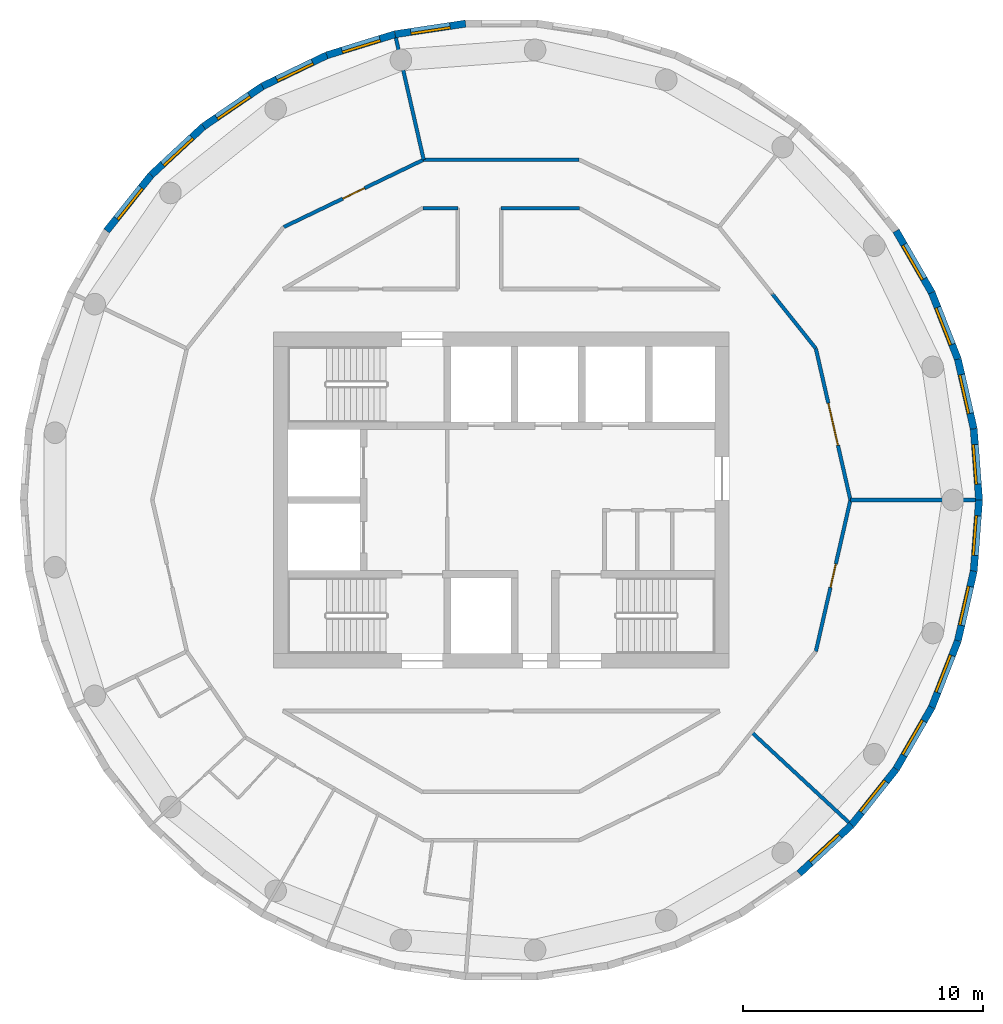
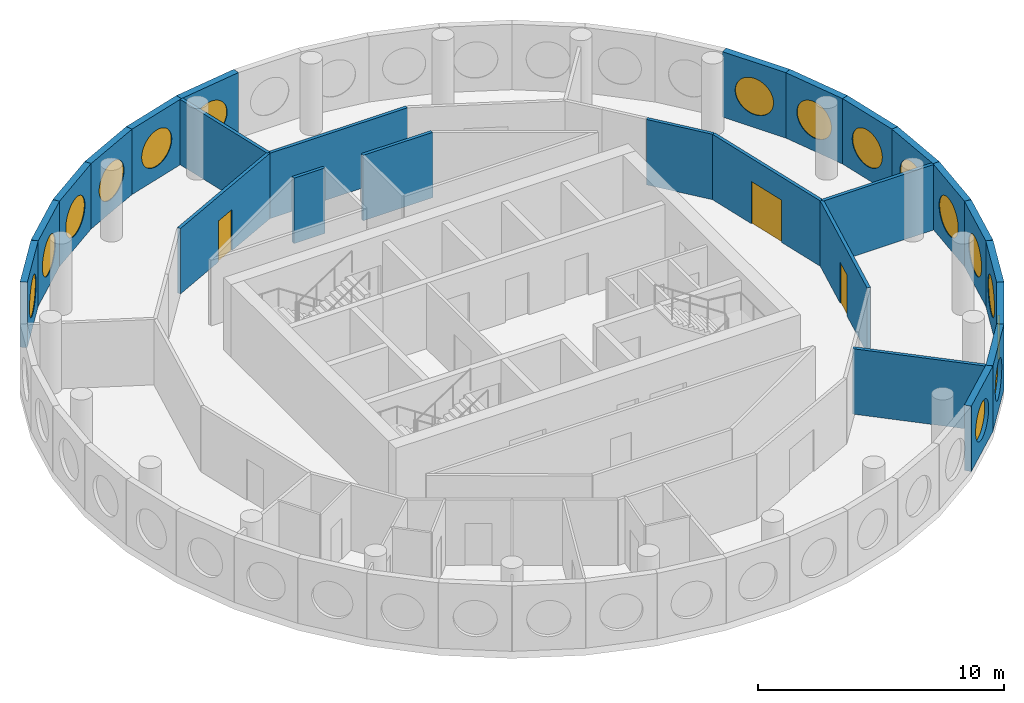
# One storey, part 9 of 12: 26 walls, 16 windows, 3 doors, 19 openings.
"""IFC4 building model written with IfcOpenShell, lengths in metres."""

from ifc_helpers import new_model, si_unit, direction, frame, frame_2d, origin, origin_2d, place, context, subcontext, project, spatial, rectangle, circle, extrude, material, layer, layer_set, type_object, element, fill, save


model = new_model("IFC4")

# Units and contexts
model_context = context("Model", 3, precision=1e-05, world=origin(), true_north=direction((0.0, 1.0)))
body_context = subcontext(model_context, "Body", "Model", "MODEL_VIEW")
ifc_project = project(units=[si_unit("LENGTHUNIT", "METRE"), si_unit("AREAUNIT", "SQUARE_METRE"), si_unit("VOLUMEUNIT", "CUBIC_METRE"), si_unit("PLANEANGLEUNIT", "RADIAN"), si_unit("MASSUNIT", "GRAM", prefix="KILO")], contexts=[model_context])

# Site, building, storey
site_placement = place(None, origin())
site = spatial("IfcSite", under=ifc_project, at=site_placement, CompositionType="ELEMENT")
building_placement = place(site_placement, origin())
building = spatial("IfcBuilding", under=site, at=building_placement, Name="Tracery Tower", CompositionType="ELEMENT")
storey_placement = place(building_placement, frame((0.0, 0.0, 327.0)))
storey = spatial("IfcBuildingStorey", under=building, at=storey_placement, Name="L85", CompositionType="ELEMENT", Elevation=327.0)

# Wall, opening, window
ifc_material_1 = material(Name="Precast concrete C50/60", Category="concrete")
ifc_layer_1 = layer(ifc_material_1, 0.300048828125)
ifc_layer_set_1 = layer_set([ifc_layer_1], Name="Facade panel 3000 x 3250")
wall_type_1 = type_object("IfcWallType", Name="Facade panel 3000 x 3250", PredefinedType="SOLIDWALL", material=ifc_layer_set_1)
wall_1_placement = place(storey_placement, frame((19.921875, 0.0, 0.0), z_axis=(0.0, 0.0, 1.0), x_axis=(-0.074777718064, 0.997200227076, 0.0)))
wall_1 = element("IfcWall", 1, at=wall_1_placement, inside=storey, type_object=wall_type_1, Name="Facade panel 1 at L85", PredefinedType="SOLIDWALL", context=body_context, shape_type="SweptSolid", body=[
    extrude(rectangle(XDim=2.9775390625, YDim=0.300048828125, at=frame_2d((1.48876953125, 0.0))), origin(), (0.0, 0.0, 1.0), 3.25),
])
opening_1_placement = place(wall_1_placement, frame((1.48876953125, 0.0, 1.5498046875)))
opening_1 = element("IfcOpeningElement", 2, at=opening_1_placement, cuts=wall_1, Name="Opening WN1", PredefinedType="OPENING", context=body_context, shape_type="SweptSolid", body=[
    extrude(circle(Radius=0.9000244140625, at=origin_2d()), frame((0.0, 0.159912109375, 0.0), z_axis=(0.0, -1.0, 0.0), x_axis=(1.0, 0.0, 0.0)), (0.0, 0.0, 1.0), 0.320068359375),
])
ifc_material_2 = material(Name="Aluminium frame with tinted double glazing", Category="aluminium")
window_type = type_object("IfcWindowType", Name="Round window 1800", PartitioningType="SINGLE_PANEL", PredefinedType="WINDOW", material=ifc_material_2)
window_1_placement = place(opening_1_placement, origin())
window_1 = element("IfcWindow", 3, at=window_1_placement, inside=storey, type_object=window_type, Name="Round window 1 at L85", OverallHeight=1.800048828125, OverallWidth=1.800048828125, PartitioningType="SINGLE_PANEL", PredefinedType="WINDOW", context=body_context, shape_type="SweptSolid", body=[
    extrude(circle(Radius=0.9000244140625, at=origin_2d()), frame((0.0, 0.1201171875, 0.0), z_axis=(0.0, -1.0, 0.0), x_axis=(1.0, 0.0, 0.0)), (0.0, 0.0, 1.0), 0.10009765625),
])
fill(opening_1, window_1)

wall_2_placement = place(storey_placement, frame((19.69921875, 2.96923828125, 0.0), z_axis=(0.0, 0.0, 1.0), x_axis=(-0.222535358937, 0.974924619662, 0.0)))
wall_2 = element("IfcWall", 4, at=wall_2_placement, inside=storey, type_object=wall_type_1, Name="Facade panel 2 at L85", PredefinedType="SOLIDWALL", context=body_context, shape_type="SweptSolid", body=[
    extrude(rectangle(XDim=2.9775390625, YDim=0.300048828125, at=frame_2d((1.48876953125, 0.0))), origin(), (0.0, 0.0, 1.0), 3.25),
])
opening_2_placement = place(wall_2_placement, frame((1.48876953125, 0.0, 1.5498046875)))
opening_2 = element("IfcOpeningElement", 5, at=opening_2_placement, cuts=wall_2, Name="Opening WN1", PredefinedType="OPENING", context=body_context, shape_type="SweptSolid", body=[
    extrude(circle(Radius=0.9000244140625, at=origin_2d()), frame((0.0, 0.159912109375, 0.0), z_axis=(0.0, -1.0, 0.0), x_axis=(1.0, 0.0, 0.0)), (0.0, 0.0, 1.0), 0.320068359375),
])
window_2_placement = place(opening_2_placement, origin())
window_2 = element("IfcWindow", 6, at=window_2_placement, inside=storey, type_object=window_type, Name="Round window 2 at L85", OverallHeight=1.800048828125, OverallWidth=1.800048828125, PartitioningType="SINGLE_PANEL", PredefinedType="WINDOW", context=body_context, shape_type="SweptSolid", body=[
    extrude(circle(Radius=0.9000244140625, at=origin_2d()), frame((0.0, 0.1201171875, 0.0), z_axis=(0.0, -1.0, 0.0), x_axis=(1.0, 0.0, 0.0)), (0.0, 0.0, 1.0), 0.10009765625),
])
fill(opening_2, window_2)

wall_3_placement = place(storey_placement, frame((19.03662109375, 5.8720703125, 0.0), z_axis=(0.0, 0.0, 1.0), x_axis=(-0.365289571566, 0.930893940739, 0.0)))
wall_3 = element("IfcWall", 7, at=wall_3_placement, inside=storey, type_object=wall_type_1, Name="Facade panel 3 at L85", PredefinedType="SOLIDWALL", context=body_context, shape_type="SweptSolid", body=[
    extrude(rectangle(XDim=2.9775390625, YDim=0.300048828125, at=frame_2d((1.48876953125, 0.0))), origin(), (0.0, 0.0, 1.0), 3.25),
])
opening_3_placement = place(wall_3_placement, frame((1.48876953125, 0.0, 1.5498046875)))
opening_3 = element("IfcOpeningElement", 8, at=opening_3_placement, cuts=wall_3, Name="Opening WN1", PredefinedType="OPENING", context=body_context, shape_type="SweptSolid", body=[
    extrude(circle(Radius=0.9000244140625, at=origin_2d()), frame((0.0, 0.159912109375, 0.0), z_axis=(0.0, -1.0, 0.0), x_axis=(1.0, 0.0, 0.0)), (0.0, 0.0, 1.0), 0.320068359375),
])
window_3_placement = place(opening_3_placement, origin())
window_3 = element("IfcWindow", 9, at=window_3_placement, inside=storey, type_object=window_type, Name="Round window 3 at L85", OverallHeight=1.800048828125, OverallWidth=1.800048828125, PartitioningType="SINGLE_PANEL", PredefinedType="WINDOW", context=body_context, shape_type="SweptSolid", body=[
    extrude(circle(Radius=0.9000244140625, at=origin_2d()), frame((0.0, 0.1201171875, 0.0), z_axis=(0.0, -1.0, 0.0), x_axis=(1.0, 0.0, 0.0)), (0.0, 0.0, 1.0), 0.10009765625),
])
fill(opening_3, window_3)

wall_4_placement = place(storey_placement, frame((17.948974609375, 8.643798828125, 0.0), z_axis=(0.0, 0.0, 1.0), x_axis=(-0.500001626982, 0.866024464444, 0.0)))
wall_4 = element("IfcWall", 10, at=wall_4_placement, inside=storey, type_object=wall_type_1, Name="Facade panel 4 at L85", PredefinedType="SOLIDWALL", context=body_context, shape_type="SweptSolid", body=[
    extrude(rectangle(XDim=2.9775390625, YDim=0.300048828125, at=frame_2d((1.48876953125, 0.0))), origin(), (0.0, 0.0, 1.0), 3.25),
])
opening_4_placement = place(wall_4_placement, frame((1.48876953125, 0.0, 1.5498046875)))
opening_4 = element("IfcOpeningElement", 11, at=opening_4_placement, cuts=wall_4, Name="Opening WN1", PredefinedType="OPENING", context=body_context, shape_type="SweptSolid", body=[
    extrude(circle(Radius=0.9000244140625, at=origin_2d()), frame((0.0, 0.159912109375, 0.0), z_axis=(0.0, -1.0, 0.0), x_axis=(1.0, 0.0, 0.0)), (0.0, 0.0, 1.0), 0.320068359375),
])
window_4_placement = place(opening_4_placement, origin())
window_4 = element("IfcWindow", 12, at=window_4_placement, inside=storey, type_object=window_type, Name="Round window 4 at L85", OverallHeight=1.800048828125, OverallWidth=1.800048828125, PartitioningType="SINGLE_PANEL", PredefinedType="WINDOW", context=body_context, shape_type="SweptSolid", body=[
    extrude(circle(Radius=0.9000244140625, at=origin_2d()), frame((0.0, 0.1201171875, 0.0), z_axis=(0.0, -1.0, 0.0), x_axis=(1.0, 0.0, 0.0)), (0.0, 0.0, 1.0), 0.10009765625),
])
fill(opening_4, window_4)

wall_5_placement = place(storey_placement, frame((-1.48876953125, 19.865966796875, 0.0), z_axis=(0.0, 0.0, 1.0), x_axis=(-0.988839917871, -0.148981934558, 0.0)))
wall_5 = element("IfcWall", 13, at=wall_5_placement, inside=storey, type_object=wall_type_1, Name="Facade panel 12 at L85", PredefinedType="SOLIDWALL", context=body_context, shape_type="SweptSolid", body=[
    extrude(rectangle(XDim=2.9775390625, YDim=0.300048828125, at=frame_2d((1.48876953125, 0.0))), origin(), (0.0, 0.0, 1.0), 3.25),
])
opening_5_placement = place(wall_5_placement, frame((1.48876953125, 0.0, 1.5498046875)))
opening_5 = element("IfcOpeningElement", 14, at=opening_5_placement, cuts=wall_5, Name="Opening WN1", PredefinedType="OPENING", context=body_context, shape_type="SweptSolid", body=[
    extrude(circle(Radius=0.9000244140625, at=origin_2d()), frame((0.0, 0.159912109375, 0.0), z_axis=(0.0, -1.0, 0.0), x_axis=(1.0, 0.0, 0.0)), (0.0, 0.0, 1.0), 0.320068359375),
])
window_5_placement = place(opening_5_placement, origin())
window_5 = element("IfcWindow", 15, at=window_5_placement, inside=storey, type_object=window_type, Name="Round window 12 at L85", OverallHeight=1.800048828125, OverallWidth=1.800048828125, PartitioningType="SINGLE_PANEL", PredefinedType="WINDOW", context=body_context, shape_type="SweptSolid", body=[
    extrude(circle(Radius=0.9000244140625, at=origin_2d()), frame((0.0, 0.1201171875, 0.0), z_axis=(0.0, -1.0, 0.0), x_axis=(1.0, 0.0, 0.0)), (0.0, 0.0, 1.0), 0.10009765625),
])
fill(opening_5, window_5)

wall_6_placement = place(storey_placement, frame((-4.43310546875, 19.42236328125, 0.0), z_axis=(0.0, 0.0, 1.0), x_axis=(-0.955567792294, -0.294771427261, 0.0)))
wall_6 = element("IfcWall", 16, at=wall_6_placement, inside=storey, type_object=wall_type_1, Name="Facade panel 13 at L85", PredefinedType="SOLIDWALL", context=body_context, shape_type="SweptSolid", body=[
    extrude(rectangle(XDim=2.9775390625, YDim=0.300048828125, at=frame_2d((1.48876953125, 0.0))), origin(), (0.0, 0.0, 1.0), 3.25),
])
opening_6_placement = place(wall_6_placement, frame((1.48876953125, 0.0, 1.5498046875)))
opening_6 = element("IfcOpeningElement", 17, at=opening_6_placement, cuts=wall_6, Name="Opening WN1", PredefinedType="OPENING", context=body_context, shape_type="SweptSolid", body=[
    extrude(circle(Radius=0.9000244140625, at=origin_2d()), frame((0.0, 0.159912109375, 0.0), z_axis=(0.0, -1.0, 0.0), x_axis=(1.0, 0.0, 0.0)), (0.0, 0.0, 1.0), 0.320068359375),
])
window_6_placement = place(opening_6_placement, origin())
window_6 = element("IfcWindow", 18, at=window_6_placement, inside=storey, type_object=window_type, Name="Round window 13 at L85", OverallHeight=1.800048828125, OverallWidth=1.800048828125, PartitioningType="SINGLE_PANEL", PredefinedType="WINDOW", context=body_context, shape_type="SweptSolid", body=[
    extrude(circle(Radius=0.9000244140625, at=origin_2d()), frame((0.0, 0.1201171875, 0.0), z_axis=(0.0, -1.0, 0.0), x_axis=(1.0, 0.0, 0.0)), (0.0, 0.0, 1.0), 0.10009765625),
])
fill(opening_6, window_6)

wall_7_placement = place(storey_placement, frame((-7.2783203125, 18.544677734375, 0.0), z_axis=(0.0, 0.0, 1.0), x_axis=(-0.900954184324, -0.433914228562, 0.0)))
wall_7 = element("IfcWall", 19, at=wall_7_placement, inside=storey, type_object=wall_type_1, Name="Facade panel 14 at L85", PredefinedType="SOLIDWALL", context=body_context, shape_type="SweptSolid", body=[
    extrude(rectangle(XDim=2.9775390625, YDim=0.300048828125, at=frame_2d((1.48876953125, 0.0))), origin(), (0.0, 0.0, 1.0), 3.25),
])
opening_7_placement = place(wall_7_placement, frame((1.48876953125, 0.0, 1.5498046875)))
opening_7 = element("IfcOpeningElement", 20, at=opening_7_placement, cuts=wall_7, Name="Opening WN1", PredefinedType="OPENING", context=body_context, shape_type="SweptSolid", body=[
    extrude(circle(Radius=0.9000244140625, at=origin_2d()), frame((0.0, 0.159912109375, 0.0), z_axis=(0.0, -1.0, 0.0), x_axis=(1.0, 0.0, 0.0)), (0.0, 0.0, 1.0), 0.320068359375),
])
window_7_placement = place(opening_7_placement, origin())
window_7 = element("IfcWindow", 21, at=window_7_placement, inside=storey, type_object=window_type, Name="Round window 14 at L85", OverallHeight=1.800048828125, OverallWidth=1.800048828125, PartitioningType="SINGLE_PANEL", PredefinedType="WINDOW", context=body_context, shape_type="SweptSolid", body=[
    extrude(circle(Radius=0.9000244140625, at=origin_2d()), frame((0.0, 0.1201171875, 0.0), z_axis=(0.0, -1.0, 0.0), x_axis=(1.0, 0.0, 0.0)), (0.0, 0.0, 1.0), 0.10009765625),
])
fill(opening_7, window_7)

wall_8_placement = place(storey_placement, frame((-9.9609375, 17.252685546875, 0.0), z_axis=(0.0, 0.0, 1.0), x_axis=(-0.826253362584, -0.56329866041, 0.0)))
wall_8 = element("IfcWall", 22, at=wall_8_placement, inside=storey, type_object=wall_type_1, Name="Facade panel 15 at L85", PredefinedType="SOLIDWALL", context=body_context, shape_type="SweptSolid", body=[
    extrude(rectangle(XDim=2.9775390625, YDim=0.300048828125, at=frame_2d((1.48876953125, 0.0))), origin(), (0.0, 0.0, 1.0), 3.25),
])
opening_8_placement = place(wall_8_placement, frame((1.48876953125, 0.0, 1.5498046875)))
opening_8 = element("IfcOpeningElement", 23, at=opening_8_placement, cuts=wall_8, Name="Opening WN1", PredefinedType="OPENING", context=body_context, shape_type="SweptSolid", body=[
    extrude(circle(Radius=0.9000244140625, at=origin_2d()), frame((0.0, 0.159912109375, 0.0), z_axis=(0.0, -1.0, 0.0), x_axis=(1.0, 0.0, 0.0)), (0.0, 0.0, 1.0), 0.320068359375),
])
window_8_placement = place(opening_8_placement, origin())
window_8 = element("IfcWindow", 24, at=window_8_placement, inside=storey, type_object=window_type, Name="Round window 15 at L85", OverallHeight=1.800048828125, OverallWidth=1.800048828125, PartitioningType="SINGLE_PANEL", PredefinedType="WINDOW", context=body_context, shape_type="SweptSolid", body=[
    extrude(circle(Radius=0.9000244140625, at=origin_2d()), frame((0.0, 0.1201171875, 0.0), z_axis=(0.0, -1.0, 0.0), x_axis=(1.0, 0.0, 0.0)), (0.0, 0.0, 1.0), 0.10009765625),
])
fill(opening_8, window_8)

wall_9_placement = place(storey_placement, frame((-12.421142578125, 15.575439453125, 0.0), z_axis=(0.0, 0.0, 1.0), x_axis=(-0.733056277766, -0.68016798927, 0.0)))
wall_9 = element("IfcWall", 25, at=wall_9_placement, inside=storey, type_object=wall_type_1, Name="Facade panel 16 at L85", PredefinedType="SOLIDWALL", context=body_context, shape_type="SweptSolid", body=[
    extrude(rectangle(XDim=2.9775390625, YDim=0.300048828125, at=frame_2d((1.48876953125, 0.0))), origin(), (0.0, 0.0, 1.0), 3.25),
])
opening_9_placement = place(wall_9_placement, frame((1.48876953125, 0.0, 1.5498046875)))
opening_9 = element("IfcOpeningElement", 26, at=opening_9_placement, cuts=wall_9, Name="Opening WN1", PredefinedType="OPENING", context=body_context, shape_type="SweptSolid", body=[
    extrude(circle(Radius=0.9000244140625, at=origin_2d()), frame((0.0, 0.159912109375, 0.0), z_axis=(0.0, -1.0, 0.0), x_axis=(1.0, 0.0, 0.0)), (0.0, 0.0, 1.0), 0.320068359375),
])
window_9_placement = place(opening_9_placement, origin())
window_9 = element("IfcWindow", 27, at=window_9_placement, inside=storey, type_object=window_type, Name="Round window 16 at L85", OverallHeight=1.800048828125, OverallWidth=1.800048828125, PartitioningType="SINGLE_PANEL", PredefinedType="WINDOW", context=body_context, shape_type="SweptSolid", body=[
    extrude(circle(Radius=0.9000244140625, at=origin_2d()), frame((0.0, 0.1201171875, 0.0), z_axis=(0.0, -1.0, 0.0), x_axis=(1.0, 0.0, 0.0)), (0.0, 0.0, 1.0), 0.10009765625),
])
fill(opening_9, window_9)

wall_10_placement = place(storey_placement, frame((-14.603759765625, 13.55029296875, 0.0), z_axis=(0.0, 0.0, 1.0), x_axis=(-0.623494374707, -0.781827835722, 0.0)))
wall_10 = element("IfcWall", 28, at=wall_10_placement, inside=storey, type_object=wall_type_1, Name="Facade panel 17 at L85", PredefinedType="SOLIDWALL", context=body_context, shape_type="SweptSolid", body=[
    extrude(rectangle(XDim=2.9775390625, YDim=0.300048828125, at=frame_2d((1.48876953125, 0.0))), origin(), (0.0, 0.0, 1.0), 3.25),
])
opening_10_placement = place(wall_10_placement, frame((1.48876953125, 0.0, 1.5498046875)))
opening_10 = element("IfcOpeningElement", 29, at=opening_10_placement, cuts=wall_10, Name="Opening WN1", PredefinedType="OPENING", context=body_context, shape_type="SweptSolid", body=[
    extrude(circle(Radius=0.9000244140625, at=origin_2d()), frame((0.0, 0.159912109375, 0.0), z_axis=(0.0, -1.0, 0.0), x_axis=(1.0, 0.0, 0.0)), (0.0, 0.0, 1.0), 0.320068359375),
])
window_10_placement = place(opening_10_placement, origin())
window_10 = element("IfcWindow", 30, at=window_10_placement, inside=storey, type_object=window_type, Name="Round window 17 at L85", OverallHeight=1.800048828125, OverallWidth=1.800048828125, PartitioningType="SINGLE_PANEL", PredefinedType="WINDOW", context=body_context, shape_type="SweptSolid", body=[
    extrude(circle(Radius=0.9000244140625, at=origin_2d()), frame((0.0, 0.1201171875, 0.0), z_axis=(0.0, -1.0, 0.0), x_axis=(1.0, 0.0, 0.0)), (0.0, 0.0, 1.0), 0.10009765625),
])
fill(opening_10, window_10)

wall_11_placement = place(storey_placement, frame((12.421142578125, -15.575439453125, 0.0), z_axis=(0.0, 0.0, 1.0), x_axis=(0.733056277766, 0.68016798927, 0.0)))
wall_11 = element("IfcWall", 31, at=wall_11_placement, inside=storey, type_object=wall_type_1, Name="Facade panel 37 at L85", PredefinedType="SOLIDWALL", context=body_context, shape_type="SweptSolid", body=[
    extrude(rectangle(XDim=2.9775390625, YDim=0.300048828125, at=frame_2d((1.48876953125, 0.0))), origin(), (0.0, 0.0, 1.0), 3.25),
])
opening_11_placement = place(wall_11_placement, frame((1.48876953125, 0.0, 1.5498046875)))
opening_11 = element("IfcOpeningElement", 32, at=opening_11_placement, cuts=wall_11, Name="Opening WN1", PredefinedType="OPENING", context=body_context, shape_type="SweptSolid", body=[
    extrude(circle(Radius=0.9000244140625, at=origin_2d()), frame((0.0, 0.159912109375, 0.0), z_axis=(0.0, -1.0, 0.0), x_axis=(1.0, 0.0, 0.0)), (0.0, 0.0, 1.0), 0.320068359375),
])
window_11_placement = place(opening_11_placement, origin())
window_11 = element("IfcWindow", 33, at=window_11_placement, inside=storey, type_object=window_type, Name="Round window 37 at L85", OverallHeight=1.800048828125, OverallWidth=1.800048828125, PartitioningType="SINGLE_PANEL", PredefinedType="WINDOW", context=body_context, shape_type="SweptSolid", body=[
    extrude(circle(Radius=0.9000244140625, at=origin_2d()), frame((0.0, 0.1201171875, 0.0), z_axis=(0.0, -1.0, 0.0), x_axis=(1.0, 0.0, 0.0)), (0.0, 0.0, 1.0), 0.10009765625),
])
fill(opening_11, window_11)

wall_12_placement = place(storey_placement, frame((14.603759765625, -13.55029296875, 0.0), z_axis=(0.0, 0.0, 1.0), x_axis=(0.623494374707, 0.781827835722, 0.0)))
wall_12 = element("IfcWall", 34, at=wall_12_placement, inside=storey, type_object=wall_type_1, Name="Facade panel 38 at L85", PredefinedType="SOLIDWALL", context=body_context, shape_type="SweptSolid", body=[
    extrude(rectangle(XDim=2.9775390625, YDim=0.300048828125, at=frame_2d((1.48876953125, 0.0))), origin(), (0.0, 0.0, 1.0), 3.25),
])
opening_12_placement = place(wall_12_placement, frame((1.48876953125, 0.0, 1.5498046875)))
opening_12 = element("IfcOpeningElement", 35, at=opening_12_placement, cuts=wall_12, Name="Opening WN1", PredefinedType="OPENING", context=body_context, shape_type="SweptSolid", body=[
    extrude(circle(Radius=0.9000244140625, at=origin_2d()), frame((0.0, 0.159912109375, 0.0), z_axis=(0.0, -1.0, 0.0), x_axis=(1.0, 0.0, 0.0)), (0.0, 0.0, 1.0), 0.320068359375),
])
window_12_placement = place(opening_12_placement, origin())
window_12 = element("IfcWindow", 36, at=window_12_placement, inside=storey, type_object=window_type, Name="Round window 38 at L85", OverallHeight=1.800048828125, OverallWidth=1.800048828125, PartitioningType="SINGLE_PANEL", PredefinedType="WINDOW", context=body_context, shape_type="SweptSolid", body=[
    extrude(circle(Radius=0.9000244140625, at=origin_2d()), frame((0.0, 0.1201171875, 0.0), z_axis=(0.0, -1.0, 0.0), x_axis=(1.0, 0.0, 0.0)), (0.0, 0.0, 1.0), 0.10009765625),
])
fill(opening_12, window_12)

wall_13_placement = place(storey_placement, frame((16.460205078125, -11.222412109375, 0.0), z_axis=(0.0, 0.0, 1.0), x_axis=(0.500001626982, 0.866024464444, 0.0)))
wall_13 = element("IfcWall", 37, at=wall_13_placement, inside=storey, type_object=wall_type_1, Name="Facade panel 39 at L85", PredefinedType="SOLIDWALL", context=body_context, shape_type="SweptSolid", body=[
    extrude(rectangle(XDim=2.9775390625, YDim=0.300048828125, at=frame_2d((1.48876953125, 0.0))), origin(), (0.0, 0.0, 1.0), 3.25),
])
opening_13_placement = place(wall_13_placement, frame((1.48876953125, 0.0, 1.5498046875)))
opening_13 = element("IfcOpeningElement", 38, at=opening_13_placement, cuts=wall_13, Name="Opening WN1", PredefinedType="OPENING", context=body_context, shape_type="SweptSolid", body=[
    extrude(circle(Radius=0.9000244140625, at=origin_2d()), frame((0.0, 0.159912109375, 0.0), z_axis=(0.0, -1.0, 0.0), x_axis=(1.0, 0.0, 0.0)), (0.0, 0.0, 1.0), 0.320068359375),
])
window_13_placement = place(opening_13_placement, origin())
window_13 = element("IfcWindow", 39, at=window_13_placement, inside=storey, type_object=window_type, Name="Round window 39 at L85", OverallHeight=1.800048828125, OverallWidth=1.800048828125, PartitioningType="SINGLE_PANEL", PredefinedType="WINDOW", context=body_context, shape_type="SweptSolid", body=[
    extrude(circle(Radius=0.9000244140625, at=origin_2d()), frame((0.0, 0.1201171875, 0.0), z_axis=(0.0, -1.0, 0.0), x_axis=(1.0, 0.0, 0.0)), (0.0, 0.0, 1.0), 0.10009765625),
])
fill(opening_13, window_13)

wall_14_placement = place(storey_placement, frame((17.948974609375, -8.643798828125, 0.0), z_axis=(0.0, 0.0, 1.0), x_axis=(0.365289571566, 0.930893940739, 0.0)))
wall_14 = element("IfcWall", 40, at=wall_14_placement, inside=storey, type_object=wall_type_1, Name="Facade panel 40 at L85", PredefinedType="SOLIDWALL", context=body_context, shape_type="SweptSolid", body=[
    extrude(rectangle(XDim=2.9775390625, YDim=0.300048828125, at=frame_2d((1.48876953125, 0.0))), origin(), (0.0, 0.0, 1.0), 3.25),
])
opening_14_placement = place(wall_14_placement, frame((1.48876953125, 0.0, 1.5498046875)))
opening_14 = element("IfcOpeningElement", 41, at=opening_14_placement, cuts=wall_14, Name="Opening WN1", PredefinedType="OPENING", context=body_context, shape_type="SweptSolid", body=[
    extrude(circle(Radius=0.9000244140625, at=origin_2d()), frame((0.0, 0.159912109375, 0.0), z_axis=(0.0, -1.0, 0.0), x_axis=(1.0, 0.0, 0.0)), (0.0, 0.0, 1.0), 0.320068359375),
])
window_14_placement = place(opening_14_placement, origin())
window_14 = element("IfcWindow", 42, at=window_14_placement, inside=storey, type_object=window_type, Name="Round window 40 at L85", OverallHeight=1.800048828125, OverallWidth=1.800048828125, PartitioningType="SINGLE_PANEL", PredefinedType="WINDOW", context=body_context, shape_type="SweptSolid", body=[
    extrude(circle(Radius=0.9000244140625, at=origin_2d()), frame((0.0, 0.1201171875, 0.0), z_axis=(0.0, -1.0, 0.0), x_axis=(1.0, 0.0, 0.0)), (0.0, 0.0, 1.0), 0.10009765625),
])
fill(opening_14, window_14)

wall_15_placement = place(storey_placement, frame((19.03662109375, -5.8720703125, 0.0), z_axis=(0.0, 0.0, 1.0), x_axis=(0.222535358937, 0.974924619662, 0.0)))
wall_15 = element("IfcWall", 43, at=wall_15_placement, inside=storey, type_object=wall_type_1, Name="Facade panel 41 at L85", PredefinedType="SOLIDWALL", context=body_context, shape_type="SweptSolid", body=[
    extrude(rectangle(XDim=2.9775390625, YDim=0.300048828125, at=frame_2d((1.48876953125, 0.0))), origin(), (0.0, 0.0, 1.0), 3.25),
])
opening_15_placement = place(wall_15_placement, frame((1.48876953125, 0.0, 1.5498046875)))
opening_15 = element("IfcOpeningElement", 44, at=opening_15_placement, cuts=wall_15, Name="Opening WN1", PredefinedType="OPENING", context=body_context, shape_type="SweptSolid", body=[
    extrude(circle(Radius=0.9000244140625, at=origin_2d()), frame((0.0, 0.159912109375, 0.0), z_axis=(0.0, -1.0, 0.0), x_axis=(1.0, 0.0, 0.0)), (0.0, 0.0, 1.0), 0.320068359375),
])
window_15_placement = place(opening_15_placement, origin())
window_15 = element("IfcWindow", 45, at=window_15_placement, inside=storey, type_object=window_type, Name="Round window 41 at L85", OverallHeight=1.800048828125, OverallWidth=1.800048828125, PartitioningType="SINGLE_PANEL", PredefinedType="WINDOW", context=body_context, shape_type="SweptSolid", body=[
    extrude(circle(Radius=0.9000244140625, at=origin_2d()), frame((0.0, 0.1201171875, 0.0), z_axis=(0.0, -1.0, 0.0), x_axis=(1.0, 0.0, 0.0)), (0.0, 0.0, 1.0), 0.10009765625),
])
fill(opening_15, window_15)

wall_16_placement = place(storey_placement, frame((19.69921875, -2.96923828125, 0.0), z_axis=(0.0, 0.0, 1.0), x_axis=(0.074777718064, 0.997200227076, 0.0)))
wall_16 = element("IfcWall", 46, at=wall_16_placement, inside=storey, type_object=wall_type_1, Name="Facade panel 42 at L85", PredefinedType="SOLIDWALL", context=body_context, shape_type="SweptSolid", body=[
    extrude(rectangle(XDim=2.9775390625, YDim=0.300048828125, at=frame_2d((1.48876953125, 0.0))), origin(), (0.0, 0.0, 1.0), 3.25),
])
opening_16_placement = place(wall_16_placement, frame((1.48876953125, 0.0, 1.5498046875)))
opening_16 = element("IfcOpeningElement", 47, at=opening_16_placement, cuts=wall_16, Name="Opening WN1", PredefinedType="OPENING", context=body_context, shape_type="SweptSolid", body=[
    extrude(circle(Radius=0.9000244140625, at=origin_2d()), frame((0.0, 0.159912109375, 0.0), z_axis=(0.0, -1.0, 0.0), x_axis=(1.0, 0.0, 0.0)), (0.0, 0.0, 1.0), 0.320068359375),
])
window_16_placement = place(opening_16_placement, origin())
window_16 = element("IfcWindow", 48, at=window_16_placement, inside=storey, type_object=window_type, Name="Round window 42 at L85", OverallHeight=1.800048828125, OverallWidth=1.800048828125, PartitioningType="SINGLE_PANEL", PredefinedType="WINDOW", context=body_context, shape_type="SweptSolid", body=[
    extrude(circle(Radius=0.9000244140625, at=origin_2d()), frame((0.0, 0.1201171875, 0.0), z_axis=(0.0, -1.0, 0.0), x_axis=(1.0, 0.0, 0.0)), (0.0, 0.0, 1.0), 0.10009765625),
])
fill(opening_16, window_16)

# Walls
ifc_material_3 = material(Name="Plasterboard on steel studs", Category="steel")
ifc_layer_2 = layer(ifc_material_3, 0.14990234375)
ifc_layer_set_2 = layer_set([ifc_layer_2], Name="Partition 150 acoustic unit wall")
wall_type_2 = type_object("IfcWallType", Name="Partition 150 acoustic unit wall", PredefinedType="PARTITIONING", material=ifc_layer_set_2)
wall_17_placement = place(storey_placement, frame((14.556884765625, 0.0, 0.0), z_axis=(0.0, 0.0, 1.0), x_axis=(1.0, 0.0, 0.0)))
element("IfcWall", 49, at=wall_17_placement, inside=storey, type_object=wall_type_2, Name="Unit wall RC10-040", PredefinedType="PARTITIONING", context=body_context, shape_type="SweptSolid", body=[
    extrude(rectangle(XDim=5.214111328125, YDim=0.14990234375, at=frame_2d((2.60693359375, 0.0))), origin(), (0.0, 0.0, 1.0), 3.25),
])
wall_18_placement = place(storey_placement, frame((-4.39990234375, 19.27587890625, 0.0), z_axis=(0.0, 0.0, 1.0), x_axis=(0.222612505682, -0.974907007008, 0.0)))
element("IfcWall", 50, at=wall_18_placement, inside=storey, type_object=wall_type_2, Name="Unit wall RC10-041", PredefinedType="PARTITIONING", context=body_context, shape_type="SweptSolid", body=[
    extrude(rectangle(XDim=5.21484375, YDim=0.14990234375, at=frame_2d((2.607421875, 0.0))), origin(), (0.0, 0.0, 1.0), 3.25),
])
wall_19_placement = place(storey_placement, frame((10.43310546875, -9.679931640625, 0.0), z_axis=(0.0, 0.0, 1.0), x_axis=(0.73295202722, -0.68028032883, 0.0)))
element("IfcWall", 51, at=wall_19_placement, inside=storey, type_object=wall_type_2, Name="Unit wall RC10-055", PredefinedType="PARTITIONING", context=body_context, shape_type="SweptSolid", body=[
    extrude(rectangle(XDim=5.5390625, YDim=0.14990234375, at=frame_2d((2.76953125, 0.0))), origin(), (0.0, 0.0, 1.0), 3.25),
])
ifc_material_4 = material(Name="Plasterboard on steel studs", Category="steel")
ifc_layer_3 = layer(ifc_material_4, 0.14990234375)
ifc_layer_set_3 = layer_set([ifc_layer_3], Name="Partition 150 corridor wall")
wall_type_3 = type_object("IfcWallType", Name="Partition 150 corridor wall", PredefinedType="PARTITIONING", material=ifc_layer_set_3)
wall_20_placement = place(storey_placement, frame((11.300048828125, 8.592041015625, 0.0), z_axis=(0.0, 0.0, 1.0), x_axis=(0.623446514299, -0.781866001185, 0.0)))
element("IfcWall", 52, at=wall_20_placement, inside=storey, type_object=wall_type_3, Name="Corridor wall RC10-016", PredefinedType="PARTITIONING", context=body_context, shape_type="SweptSolid", body=[
    extrude(rectangle(XDim=2.9111328125, YDim=0.14990234375, at=frame_2d((1.45556640625, 0.0))), origin(), (0.0, 0.0, 1.0), 3.25),
])

# Wall, opening, door
wall_21_placement = place(storey_placement, frame((13.114990234375, 6.31591796875, 0.0), z_axis=(0.0, 0.0, 1.0), x_axis=(0.222568978642, -0.97491694505, 0.0)))
wall_21 = element("IfcWall", 53, at=wall_21_placement, inside=storey, type_object=wall_type_3, Name="Corridor wall RC10-017", PredefinedType="PARTITIONING", context=body_context, shape_type="SweptSolid", body=[
    extrude(rectangle(XDim=6.478515625, YDim=0.14990234375, at=frame_2d((3.2392578125, 0.0))), origin(), (0.0, 0.0, 1.0), 3.25),
])
opening_17_placement = place(wall_21_placement, frame((2.339111328125, 0.0, 0.0)))
opening_17 = element("IfcOpeningElement", 54, at=opening_17_placement, cuts=wall_21, Name="Opening RC10-04", PredefinedType="OPENING", context=body_context, shape_type="SweptSolid", body=[
    extrude(rectangle(XDim=1.800048828125, YDim=2.10009765625, at=frame_2d((0.89990234375, 1.050048828125))), frame((0.0, 0.074951171875, 0.0), z_axis=(0.0, -1.0, 0.0), x_axis=(1.0, 0.0, 0.0)), (0.0, 0.0, 1.0), 0.14990234375),
])
ifc_material_5 = material(Name="Timber door leaf", Category="wood")
door_type_1 = type_object("IfcDoorType", Name="Door double lounge 1800", OperationType="NOTDEFINED", PredefinedType="DOOR", material=ifc_material_5)
door_1_placement = place(opening_17_placement, origin())
door_1 = element("IfcDoor", 55, at=door_1_placement, inside=storey, type_object=door_type_1, Name="Double lounge door RC10-04", OperationType="DOUBLE_DOOR_SINGLE_SWING", OverallHeight=2.10009765625, OverallWidth=1.800048828125, PredefinedType="DOOR", context=body_context, shape_type="SweptSolid", body=[
    extrude(rectangle(XDim=1.800048828125, YDim=2.10009765625, at=frame_2d((0.89990234375, 1.050048828125))), frame((0.0, 0.02490234375, 0.0), z_axis=(0.0, -1.0, 0.0), x_axis=(1.0, 0.0, 0.0)), (0.0, 0.0, 1.0), 0.050048828125),
])
fill(opening_17, door_1)

wall_22_placement = place(storey_placement, frame((13.114990234375, -6.31591796875, 0.0), z_axis=(0.0, 0.0, 1.0), x_axis=(0.222568978642, 0.97491694505, 0.0)))
wall_22 = element("IfcWall", 56, at=wall_22_placement, inside=storey, type_object=wall_type_3, Name="Corridor wall RC10-018", PredefinedType="PARTITIONING", context=body_context, shape_type="SweptSolid", body=[
    extrude(rectangle(XDim=6.478515625, YDim=0.14990234375, at=frame_2d((3.2392578125, 0.0))), origin(), (0.0, 0.0, 1.0), 3.25),
])
opening_18_placement = place(wall_22_placement, frame((2.739501953125, 0.0, 0.0)))
opening_18 = element("IfcOpeningElement", 57, at=opening_18_placement, cuts=wall_22, Name="Opening RC10-16", PredefinedType="OPENING", context=body_context, shape_type="SweptSolid", body=[
    extrude(rectangle(XDim=1.0, YDim=2.0400390625, at=frame_2d((0.5, 1.02001953125))), frame((0.0, 0.074951171875, 0.0), z_axis=(0.0, -1.0, 0.0), x_axis=(1.0, 0.0, 0.0)), (0.0, 0.0, 1.0), 0.14990234375),
])
ifc_material_6 = material(Name="Timber door leaf", Category="wood")
door_type_2 = type_object("IfcDoorType", Name="Door communal room 1000", OperationType="NOTDEFINED", PredefinedType="DOOR", material=ifc_material_6)
door_2_placement = place(opening_18_placement, origin())
door_2 = element("IfcDoor", 58, at=door_2_placement, inside=storey, type_object=door_type_2, Name="Communal room door RC10-16", OperationType="SINGLE_SWING_LEFT", OverallHeight=2.0400390625, OverallWidth=1.0, PredefinedType="DOOR", context=body_context, shape_type="SweptSolid", body=[
    extrude(rectangle(XDim=1.0, YDim=2.0400390625, at=frame_2d((0.5, 1.02001953125))), frame((0.0, 0.02490234375, 0.0), z_axis=(0.0, -1.0, 0.0), x_axis=(1.0, 0.0, 0.0)), (0.0, 0.0, 1.0), 0.050048828125),
])
fill(opening_18, door_2)

# Walls
wall_23_placement = place(storey_placement, frame((-3.260986328125, 12.1708984375, 0.0), z_axis=(0.0, 0.0, 1.0), x_axis=(1.0, 0.0, 0.0)))
element("IfcWall", 59, at=wall_23_placement, inside=storey, type_object=wall_type_3, Name="Corridor wall RC10-021", PredefinedType="PARTITIONING", context=body_context, shape_type="SweptSolid", body=[
    extrude(rectangle(XDim=1.450927734375, YDim=0.14990234375, at=frame_2d((0.7255859375, 0.0))), origin(), (0.0, 0.0, 1.0), 3.25),
])
wall_24_placement = place(storey_placement, frame((-0.010009765625, 12.1708984375, 0.0), z_axis=(0.0, 0.0, 1.0), x_axis=(1.0, 0.0, 0.0)))
element("IfcWall", 60, at=wall_24_placement, inside=storey, type_object=wall_type_3, Name="Corridor wall RC10-023", PredefinedType="PARTITIONING", context=body_context, shape_type="SweptSolid", body=[
    extrude(rectangle(XDim=3.27099609375, YDim=0.14990234375, at=frame_2d((1.635498046875, 0.0))), origin(), (0.0, 0.0, 1.0), 3.25),
])
wall_25_placement = place(storey_placement, frame((-3.239013671875, 14.19189453125, 0.0), z_axis=(0.0, 0.0, 1.0), x_axis=(1.0, 0.0, 0.0)))
element("IfcWall", 61, at=wall_25_placement, inside=storey, type_object=wall_type_3, Name="Corridor wall RC10-026", PredefinedType="PARTITIONING", context=body_context, shape_type="SweptSolid", body=[
    extrude(rectangle(XDim=6.47802734375, YDim=0.14990234375, at=frame_2d((3.239013671875, 0.0))), origin(), (0.0, 0.0, 1.0), 3.25),
])

# Wall, opening, door
wall_26_placement = place(storey_placement, frame((-9.075927734375, 11.381103515625, 0.0), z_axis=(0.0, 0.0, 1.0), x_axis=(0.900976027191, 0.433868872388, 0.0)))
wall_26 = element("IfcWall", 62, at=wall_26_placement, inside=storey, type_object=wall_type_3, Name="Corridor wall RC10-028", PredefinedType="PARTITIONING", context=body_context, shape_type="SweptSolid", body=[
    extrude(rectangle(XDim=6.478515625, YDim=0.14990234375, at=frame_2d((3.2392578125, 0.0))), origin(), (0.0, 0.0, 1.0), 3.25),
])
opening_19_placement = place(wall_26_placement, frame((2.739013671875, 0.0, 0.0)))
opening_19 = element("IfcOpeningElement", 63, at=opening_19_placement, cuts=wall_26, Name="Opening RC10-06", PredefinedType="OPENING", context=body_context, shape_type="SweptSolid", body=[
    extrude(rectangle(XDim=1.0, YDim=2.0400390625, at=frame_2d((0.5, 1.02001953125))), frame((0.0, 0.074951171875, 0.0), z_axis=(0.0, -1.0, 0.0), x_axis=(1.0, 0.0, 0.0)), (0.0, 0.0, 1.0), 0.14990234375),
])
door_3_placement = place(opening_19_placement, origin())
door_3 = element("IfcDoor", 64, at=door_3_placement, inside=storey, type_object=door_type_2, Name="Communal room door RC10-06", OperationType="SINGLE_SWING_LEFT", OverallHeight=2.0400390625, OverallWidth=1.0, PredefinedType="DOOR", context=body_context, shape_type="SweptSolid", body=[
    extrude(rectangle(XDim=1.0, YDim=2.0400390625, at=frame_2d((0.5, 1.02001953125))), frame((0.0, 0.02490234375, 0.0), z_axis=(0.0, -1.0, 0.0), x_axis=(1.0, 0.0, 0.0)), (0.0, 0.0, 1.0), 0.050048828125),
])
fill(opening_19, door_3)

save(model, "model.ifc")
